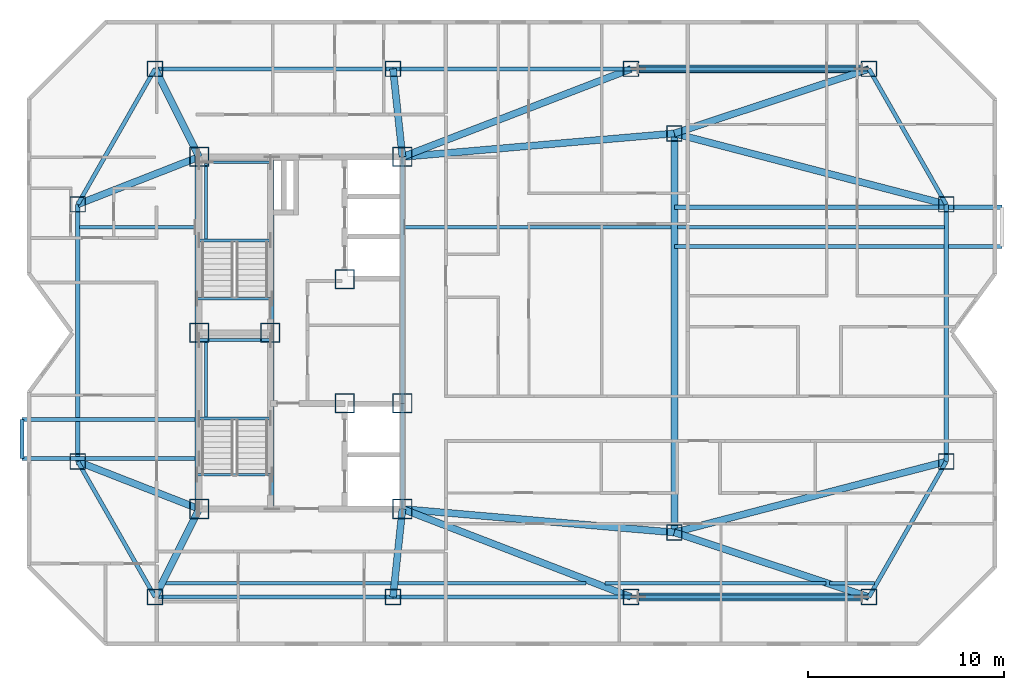
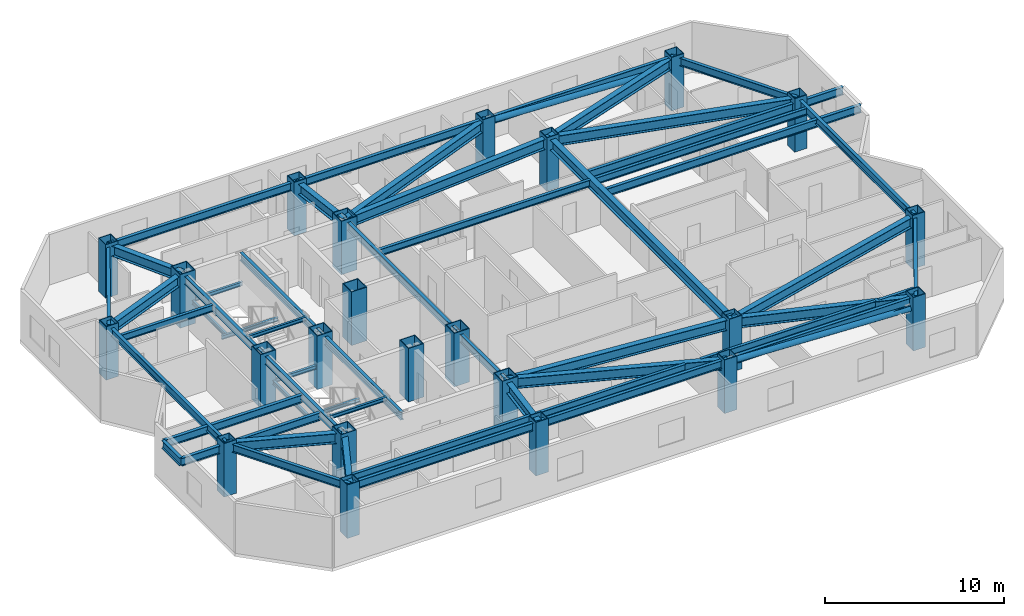
# One storey, part 1 of 10: 53 beams, 23 columns, 2 members.
"""IFC4 building model written with IfcOpenShell, lengths in metres."""

from ifc_helpers import new_model, si_unit, direction, frame, origin, origin_2d, place, context, subcontext, project, spatial, hollow_rectangle, hollow_circle, i_section, extrude, material, material_profile, profile_set, type_object, element, save


model = new_model("IFC4")

# Units and contexts
model_context = context("Model", 3, precision=1e-05, world=origin(), true_north=direction((0.0, 1.0)))
body_context = subcontext(model_context, "Body", "Model", "MODEL_VIEW")
ifc_project = project(units=[si_unit("LENGTHUNIT", "METRE"), si_unit("AREAUNIT", "SQUARE_METRE"), si_unit("VOLUMEUNIT", "CUBIC_METRE"), si_unit("PLANEANGLEUNIT", "RADIAN"), si_unit("MASSUNIT", "GRAM", prefix="KILO")], contexts=[model_context])

# Site, building, storey
site_placement = place(None, origin())
site = spatial("IfcSite", under=ifc_project, at=site_placement, CompositionType="ELEMENT")
building_placement = place(site_placement, origin())
building = spatial("IfcBuilding", under=site, at=building_placement, Name="Khamvora Tower", CompositionType="ELEMENT")
storey_placement = place(building_placement, frame((0.0, 0.0, 246.39990234375)))
storey = spatial("IfcBuildingStorey", under=building, at=storey_placement, Name="L63", CompositionType="ELEMENT", Elevation=246.39990234375)

# Columns
ifc_material_1 = material(Name="Steel S355", Category="steel")
ifc_material_profile_1 = material_profile(ifc_material_1, hollow_rectangle(XDim=0.800048828125, YDim=0.800048828125, WallThickness=0.0400390625, at=origin_2d()), Name="BOX800x800x40")
ifc_profile_set_1 = profile_set([ifc_material_profile_1], Name="Steel S355")
column_type_1 = type_object("IfcColumnType", Name="COL-BOX800", PredefinedType="COLUMN", material=ifc_profile_set_1)
for number, where, z_axis, x_axis, name in (
    (1, (26.75, 14.5, 0.0), (0.0, 0.0, 1.0), (1.0, 0.0, 0.0), "L63 structural frame column S1"),
    (2, (38.9169921875, 14.5, 0.0), (0.0, 0.0, 1.0), (1.0, 0.0, 0.0), "L63 structural frame column S2"),
    (3, (51.0830078125, 14.5, 0.0), (0.0, 0.0, 1.0), (1.0, 0.0, 0.0), "L63 structural frame column S3"),
    (4, (63.25, 14.5, 0.0), (0.0, 0.0, 1.0), (1.0, 0.0, 0.0), "L63 structural frame column S4"),
    (5, (26.75, 41.5, 0.0), (0.0, 0.0, 1.0), (1.0, 0.0, 0.0), "L63 structural frame column N1"),
    (6, (38.9169921875, 41.5, 0.0), (0.0, 0.0, 1.0), (1.0, 0.0, 0.0), "L63 structural frame column N2"),
    (7, (51.0830078125, 41.5, 0.0), (0.0, 0.0, 1.0), (1.0, 0.0, 0.0), "L63 structural frame column N3"),
    (8, (63.25, 41.5, 0.0), (0.0, 0.0, 1.0), (1.0, 0.0, 0.0), "L63 structural frame column N4"),
    (9, (22.800048828125, 21.425048828125, 0.0), (0.0, 0.0, 1.0), (1.0, 0.0, 0.0), "L63 structural frame column W1"),
    (10, (22.800048828125, 34.574951171875, 0.0), (0.0, 0.0, 1.0), (1.0, 0.0, 0.0), "L63 structural frame column W2"),
    (11, (67.199951171875, 21.425048828125, 0.0), (0.0, 0.0, 1.0), (1.0, 0.0, 0.0), "L63 structural frame column E1"),
    (12, (67.199951171875, 34.574951171875, 0.0), (0.0, 0.0, 1.0), (1.0, 0.0, 0.0), "L63 structural frame column E2"),
    (13, (53.300048828125, 17.800048828125, 0.0), (0.0, 0.0, 1.0), (1.0, 0.0, 0.0), "L63 structural frame column M1"),
    (14, (53.300048828125, 38.199951171875, 0.0), (0.0, 0.0, 1.0), (1.0, 0.0, 0.0), "L63 structural frame column M2"),
):
    element("IfcColumn", number, at=place(storey_placement, frame(where, z_axis=z_axis, x_axis=x_axis)), inside=storey, type_object=column_type_1, Name=name, PredefinedType="COLUMN", context=body_context, shape_type="SweptSolid", body=[
        extrude(hollow_rectangle(XDim=0.800048828125, YDim=0.800048828125, WallThickness=0.0400390625, at=origin_2d()), origin(), (0.0, 0.0, 1.0), 3.650146484375),
    ])
ifc_material_2 = material(Name="Structural Steel S460ML", Category="steel")
ifc_material_profile_2 = material_profile(ifc_material_2, hollow_rectangle(XDim=1.0, YDim=1.0, WallThickness=0.050048828125, at=origin_2d()), Name="BOX1000x1000x50")
ifc_profile_set_2 = profile_set([ifc_material_profile_2], Name="Structural Steel S460ML")
column_type_2 = type_object("IfcColumnType", Name="COL-SC-BOX1000", PredefinedType="COLUMN", material=ifc_profile_set_2)
for number, where, z_axis, x_axis, name in (
    (15, (29.0, 19.0, 0.0), (0.0, 0.0, 1.0), (1.0, 0.0, 0.0), "L63 plumb core spine column SC1"),
    (16, (32.64990234375, 28.0, 0.0), (0.0, 0.0, 1.0), (1.0, 0.0, 0.0), "L63 plumb core spine column SC2"),
    (17, (39.39990234375, 19.0, 0.0), (0.0, 0.0, 1.0), (1.0, 0.0, 0.0), "L63 plumb core spine column SC3"),
    (18, (29.0, 28.0, 0.0), (0.0, 0.0, 1.0), (1.0, 0.0, 0.0), "L63 plumb core spine column SC4"),
    (19, (36.449951171875, 24.39990234375, 0.0), (0.0, 0.0, 1.0), (1.0, 0.0, 0.0), "L63 plumb core spine column SC5"),
    (20, (39.39990234375, 24.39990234375, 0.0), (0.0, 0.0, 1.0), (1.0, 0.0, 0.0), "L63 plumb core spine column SC6"),
    (21, (29.0, 37.0, 0.0), (0.0, 0.0, 1.0), (1.0, 0.0, 0.0), "L63 plumb core spine column SC7"),
    (22, (36.449951171875, 30.75, 0.0), (0.0, 0.0, 1.0), (1.0, 0.0, 0.0), "L63 plumb core spine column SC8"),
    (23, (39.39990234375, 37.0, 0.0), (0.0, 0.0, 1.0), (1.0, 0.0, 0.0), "L63 plumb core spine column SC9"),
):
    element("IfcColumn", number, at=place(storey_placement, frame(where, z_axis=z_axis, x_axis=x_axis)), inside=storey, type_object=column_type_2, Name=name, PredefinedType="COLUMN", context=body_context, shape_type="SweptSolid", body=[
        extrude(hollow_rectangle(XDim=1.0, YDim=1.0, WallThickness=0.050048828125, at=origin_2d()), origin(), (0.0, 0.0, 1.0), 3.650146484375),
    ])

# Beams
ifc_material_profile_3 = material_profile(ifc_material_1, i_section(OverallWidth=0.19189453125, OverallDepth=0.462890625, WebThickness=0.010986328125, FlangeThickness=0.01806640625, FilletRadius=0.011962890625, at=origin_2d()), Name="W460x89")
ifc_profile_set_3 = profile_set([ifc_material_profile_3], Name="Steel S355")
beam_type_1 = type_object("IfcBeamType", Name="BM-JS-W460x89", PredefinedType="JOIST", material=ifc_profile_set_3)
beam_1_placement = place(storey_placement, frame((27.29296875, 15.199951171875, 3.19921875), z_axis=(1.0, 0.0, 0.0), x_axis=(0.0, 1.0, 0.0)))
element("IfcBeam", 24, at=beam_1_placement, inside=storey, type_object=beam_type_1, Name="L63 secondary floor joist 01", PredefinedType="JOIST", context=body_context, shape_type="SweptSolid", body=[
    extrude(i_section(OverallWidth=0.19189453125, OverallDepth=0.462890625, WebThickness=0.010986328125, FlangeThickness=0.01806640625, FilletRadius=0.011962890625, at=origin_2d()), origin(), (0.0, 0.0, 1.0), 11.526123046875),
])
beam_2_placement = place(storey_placement, frame((39.166015625, 15.199951171875, 3.19921875), z_axis=(1.0, 0.0, 0.0), x_axis=(0.0, 1.0, 0.0)))
element("IfcBeam", 25, at=beam_2_placement, inside=storey, type_object=beam_type_1, Name="L63 secondary floor joist 02", PredefinedType="JOIST", context=body_context, shape_type="SweptSolid", body=[
    extrude(i_section(OverallWidth=0.19189453125, OverallDepth=0.462890625, WebThickness=0.010986328125, FlangeThickness=0.01806640625, FilletRadius=0.011962890625, at=origin_2d()), origin(), (0.0, 0.0, 1.0), 9.611083984375),
])
beam_3_placement = place(storey_placement, frame((49.75390625, 15.199951171875, 3.19921875), z_axis=(1.0, 0.0, 0.0), x_axis=(0.0, 1.0, 0.0)))
element("IfcBeam", 26, at=beam_3_placement, inside=storey, type_object=beam_type_1, Name="L63 secondary floor joist 03", PredefinedType="JOIST", context=body_context, shape_type="SweptSolid", body=[
    extrude(i_section(OverallWidth=0.19189453125, OverallDepth=0.462890625, WebThickness=0.010986328125, FlangeThickness=0.01806640625, FilletRadius=0.011962890625, at=origin_2d()), origin(), (0.0, 0.0, 1.0), 11.2900390625),
])
beam_4_placement = place(storey_placement, frame((61.23388671875, 15.199951171875, 3.19921875), z_axis=(1.0, 0.0, 0.0), x_axis=(0.0, 1.0, 0.0)))
element("IfcBeam", 27, at=beam_4_placement, inside=storey, type_object=beam_type_1, Name="L63 secondary floor joist 04", PredefinedType="JOIST", context=body_context, shape_type="SweptSolid", body=[
    extrude(i_section(OverallWidth=0.19189453125, OverallDepth=0.462890625, WebThickness=0.010986328125, FlangeThickness=0.01806640625, FilletRadius=0.011962890625, at=origin_2d()), origin(), (0.0, 0.0, 1.0), 2.300048828125),
])
beam_5_placement = place(storey_placement, frame((22.89892578125, 33.39990234375, 3.19921875), z_axis=(1.0, 0.0, 0.0), x_axis=(0.0, 1.0, 0.0)))
element("IfcBeam", 28, at=beam_5_placement, inside=storey, type_object=beam_type_1, Name="L63 secondary floor joist 05", PredefinedType="JOIST", context=body_context, shape_type="SweptSolid", body=[
    extrude(i_section(OverallWidth=0.19189453125, OverallDepth=0.462890625, WebThickness=0.010986328125, FlangeThickness=0.01806640625, FilletRadius=0.011962890625, at=origin_2d()), origin(), (0.0, 0.0, 1.0), 5.901123046875),
])
beam_6_placement = place(storey_placement, frame((39.4990234375, 33.39990234375, 3.19921875), z_axis=(1.0, 0.0, 0.0), x_axis=(0.0, 1.0, 0.0)))
element("IfcBeam", 29, at=beam_6_placement, inside=storey, type_object=beam_type_1, Name="L63 secondary floor joist 06", PredefinedType="JOIST", context=body_context, shape_type="SweptSolid", body=[
    extrude(i_section(OverallWidth=0.19189453125, OverallDepth=0.462890625, WebThickness=0.010986328125, FlangeThickness=0.01806640625, FilletRadius=0.011962890625, at=origin_2d()), origin(), (0.0, 0.0, 1.0), 13.6279296875),
])
beam_7_placement = place(storey_placement, frame((53.471923828125, 33.39990234375, 3.19921875), z_axis=(1.0, 0.0, 0.0), x_axis=(0.0, 1.0, 0.0)))
element("IfcBeam", 30, at=beam_7_placement, inside=storey, type_object=beam_type_1, Name="L63 secondary floor joist 07", PredefinedType="JOIST", context=body_context, shape_type="SweptSolid", body=[
    extrude(i_section(OverallWidth=0.19189453125, OverallDepth=0.462890625, WebThickness=0.010986328125, FlangeThickness=0.01806640625, FilletRadius=0.011962890625, at=origin_2d()), origin(), (0.0, 0.0, 1.0), 13.628173828125),
])
ifc_material_profile_4 = material_profile(ifc_material_1, i_section(OverallWidth=0.14697265625, OverallDepth=0.261962890625, WebThickness=0.007080078125, FlangeThickness=0.010986328125, FilletRadius=0.008056640625, at=origin_2d()), Name="W250x39")
ifc_profile_set_4 = profile_set([ifc_material_profile_4], Name="Steel S355")
beam_type_2 = type_object("IfcBeamType", Name="BM-LN-W250x39", PredefinedType="LINTEL", material=ifc_profile_set_4)
for number, where, z_axis, x_axis, name in (
    (31, (29.0, 23.635009765625, 1.494140625), (1.0, 0.0, 0.0), (0.0, 1.0, 0.0), "L63 ST-01 half-landing support beam 1.1"),
    (32, (29.0, 27.6298828125, 1.494140625), (1.0, 0.0, 0.0), (0.0, 1.0, 0.0), "L63 ST-01 half-landing support beam 1.2"),
):
    element("IfcBeam", number, at=place(storey_placement, frame(where, z_axis=z_axis, x_axis=x_axis)), inside=storey, type_object=beam_type_2, Name=name, PredefinedType="LINTEL", context=body_context, shape_type="SweptSolid", body=[
        extrude(i_section(OverallWidth=0.14697265625, OverallDepth=0.261962890625, WebThickness=0.007080078125, FlangeThickness=0.010986328125, FilletRadius=0.008056640625, at=origin_2d()), origin(), (0.0, 0.0, 1.0), 3.64990234375),
    ])
beam_8_placement = place(storey_placement, frame((29.35009765625, 23.635009765625, 1.494140625), z_axis=(0.0, 1.0, 0.0), x_axis=(-1.0, 0.0, 0.0)))
element("IfcBeam", 33, at=beam_8_placement, inside=storey, type_object=beam_type_2, Name="L63 ST-01 half-landing edge stringer 1", PredefinedType="LINTEL", context=body_context, shape_type="SweptSolid", body=[
    extrude(i_section(OverallWidth=0.14697265625, OverallDepth=0.261962890625, WebThickness=0.007080078125, FlangeThickness=0.010986328125, FilletRadius=0.008056640625, at=origin_2d()), origin(), (0.0, 0.0, 1.0), 3.994873046875),
])
for number, where, z_axis, x_axis, name in (
    (34, (29.0, 32.735107421875, 1.494140625), (1.0, 0.0, 0.0), (0.0, 1.0, 0.0), "L63 ST-02 half-landing support beam 1.1"),
    (35, (29.0, 36.72998046875, 1.494140625), (1.0, 0.0, 0.0), (0.0, 1.0, 0.0), "L63 ST-02 half-landing support beam 1.2"),
):
    element("IfcBeam", number, at=place(storey_placement, frame(where, z_axis=z_axis, x_axis=x_axis)), inside=storey, type_object=beam_type_2, Name=name, PredefinedType="LINTEL", context=body_context, shape_type="SweptSolid", body=[
        extrude(i_section(OverallWidth=0.14697265625, OverallDepth=0.261962890625, WebThickness=0.007080078125, FlangeThickness=0.010986328125, FilletRadius=0.008056640625, at=origin_2d()), origin(), (0.0, 0.0, 1.0), 3.64990234375),
    ])
beam_9_placement = place(storey_placement, frame((29.35009765625, 32.735107421875, 1.494140625), z_axis=(0.0, 1.0, 0.0), x_axis=(-1.0, 0.0, 0.0)))
element("IfcBeam", 36, at=beam_9_placement, inside=storey, type_object=beam_type_2, Name="L63 ST-02 half-landing edge stringer 1", PredefinedType="LINTEL", context=body_context, shape_type="SweptSolid", body=[
    extrude(i_section(OverallWidth=0.14697265625, OverallDepth=0.261962890625, WebThickness=0.007080078125, FlangeThickness=0.010986328125, FilletRadius=0.008056640625, at=origin_2d()), origin(), (0.0, 0.0, 1.0), 3.994873046875),
])
for number, where, z_axis, x_axis, name in (
    (37, (28.89990234375, 20.75, 3.30419921875), (1.0, 0.0, 0.0), (0.0, 1.0, 0.0), "L63 exit stair ST-01 landing trimmer beam"),
    (38, (28.89990234375, 29.75, 3.30419921875), (1.0, 0.0, 0.0), (0.0, 1.0, 0.0), "L63 exit stair ST-02 landing trimmer beam"),
):
    element("IfcBeam", number, at=place(storey_placement, frame(where, z_axis=z_axis, x_axis=x_axis)), inside=storey, type_object=beam_type_2, Name=name, PredefinedType="LINTEL", context=body_context, shape_type="SweptSolid", body=[
        extrude(i_section(OverallWidth=0.14697265625, OverallDepth=0.261962890625, WebThickness=0.007080078125, FlangeThickness=0.010986328125, FilletRadius=0.008056640625, at=origin_2d()), origin(), (0.0, 0.0, 1.0), 3.830078125),
    ])
ifc_material_profile_5 = material_profile(ifc_material_1, i_section(OverallWidth=0.35498046875, OverallDepth=0.695068359375, WebThickness=0.014892578125, FlangeThickness=0.02490234375, FilletRadius=0.01611328125, at=origin_2d()), Name="W690x217")
ifc_profile_set_5 = profile_set([ifc_material_profile_5], Name="Steel S355")
beam_type_3 = type_object("IfcBeamType", Name="BM-PG-W690x217", PredefinedType="BEAM", material=ifc_profile_set_5)
beam_10_placement = place(storey_placement, frame((53.300048828125, 17.800048828125, 3.0830078125), z_axis=(0.0, 1.0, 0.0), x_axis=(-1.0, 0.0, 0.0)))
element("IfcBeam", 39, at=beam_10_placement, inside=storey, type_object=beam_type_3, Name="L63 longitudinal frame girder M1-M2", PredefinedType="BEAM", context=body_context, shape_type="SweptSolid", body=[
    extrude(i_section(OverallWidth=0.35498046875, OverallDepth=0.695068359375, WebThickness=0.014892578125, FlangeThickness=0.02490234375, FilletRadius=0.01611328125, at=origin_2d()), origin(), (0.0, 0.0, 1.0), 20.39990234375),
])
beam_11_placement = place(storey_placement, frame((29.0, 19.0, 3.0830078125), z_axis=(-0.4472135955, -0.894427191, 0.0), x_axis=(0.894427191, -0.4472135955, 0.0)))
element("IfcBeam", 40, at=beam_11_placement, inside=storey, type_object=beam_type_3, Name="L63 primary floor girder S1", PredefinedType="BEAM", context=body_context, shape_type="SweptSolid", body=[
    extrude(i_section(OverallWidth=0.35498046875, OverallDepth=0.695068359375, WebThickness=0.014892578125, FlangeThickness=0.02490234375, FilletRadius=0.01611328125, at=origin_2d()), origin(), (0.0, 0.0, 1.0), 5.03125),
])
beam_12_placement = place(storey_placement, frame((39.39990234375, 19.0, 3.0830078125), z_axis=(-0.106700735484, -0.994291181218, 0.0), x_axis=(0.994291181218, -0.106700735484, 0.0)))
element("IfcBeam", 41, at=beam_12_placement, inside=storey, type_object=beam_type_3, Name="L63 primary floor girder S2", PredefinedType="BEAM", context=body_context, shape_type="SweptSolid", body=[
    extrude(i_section(OverallWidth=0.35498046875, OverallDepth=0.695068359375, WebThickness=0.014892578125, FlangeThickness=0.02490234375, FilletRadius=0.01611328125, at=origin_2d()), origin(), (0.0, 0.0, 1.0), 4.52587890625),
])
beam_13_placement = place(storey_placement, frame((39.39990234375, 19.0, 3.0830078125), z_axis=(0.933171601475, -0.359431164759, 0.0), x_axis=(0.359431164759, 0.933171601475, 0.0)))
element("IfcBeam", 42, at=beam_13_placement, inside=storey, type_object=beam_type_3, Name="L63 primary floor girder S3", PredefinedType="BEAM", context=body_context, shape_type="SweptSolid", body=[
    extrude(i_section(OverallWidth=0.35498046875, OverallDepth=0.695068359375, WebThickness=0.014892578125, FlangeThickness=0.02490234375, FilletRadius=0.01611328125, at=origin_2d()), origin(), (0.0, 0.0, 1.0), 12.519775390625),
])
beam_14_placement = place(storey_placement, frame((53.300048828125, 17.800048828125, 3.0830078125), z_axis=(0.949157330029, -0.314802101092, 0.0), x_axis=(0.314802101092, 0.949157330029, 0.0)))
element("IfcBeam", 43, at=beam_14_placement, inside=storey, type_object=beam_type_3, Name="L63 primary floor girder S4", PredefinedType="BEAM", context=body_context, shape_type="SweptSolid", body=[
    extrude(i_section(OverallWidth=0.35498046875, OverallDepth=0.695068359375, WebThickness=0.014892578125, FlangeThickness=0.02490234375, FilletRadius=0.01611328125, at=origin_2d()), origin(), (0.0, 0.0, 1.0), 10.48291015625),
])
beam_15_placement = place(storey_placement, frame((29.0, 37.0, 3.0830078125), z_axis=(-0.4472135955, 0.894427191, 0.0), x_axis=(-0.894427191, -0.4472135955, 0.0)))
element("IfcBeam", 44, at=beam_15_placement, inside=storey, type_object=beam_type_3, Name="L63 primary floor girder N1", PredefinedType="BEAM", context=body_context, shape_type="SweptSolid", body=[
    extrude(i_section(OverallWidth=0.35498046875, OverallDepth=0.695068359375, WebThickness=0.014892578125, FlangeThickness=0.02490234375, FilletRadius=0.01611328125, at=origin_2d()), origin(), (0.0, 0.0, 1.0), 5.03125),
])
beam_16_placement = place(storey_placement, frame((39.39990234375, 37.0, 3.0830078125), z_axis=(-0.106700735484, 0.994291181218, 0.0), x_axis=(-0.994291181218, -0.106700735484, 0.0)))
element("IfcBeam", 45, at=beam_16_placement, inside=storey, type_object=beam_type_3, Name="L63 primary floor girder N2", PredefinedType="BEAM", context=body_context, shape_type="SweptSolid", body=[
    extrude(i_section(OverallWidth=0.35498046875, OverallDepth=0.695068359375, WebThickness=0.014892578125, FlangeThickness=0.02490234375, FilletRadius=0.01611328125, at=origin_2d()), origin(), (0.0, 0.0, 1.0), 4.52587890625),
])
beam_17_placement = place(storey_placement, frame((39.39990234375, 37.0, 3.0830078125), z_axis=(0.933171601475, 0.359431164759, 0.0), x_axis=(-0.359431164759, 0.933171601475, 0.0)))
element("IfcBeam", 46, at=beam_17_placement, inside=storey, type_object=beam_type_3, Name="L63 primary floor girder N3", PredefinedType="BEAM", context=body_context, shape_type="SweptSolid", body=[
    extrude(i_section(OverallWidth=0.35498046875, OverallDepth=0.695068359375, WebThickness=0.014892578125, FlangeThickness=0.02490234375, FilletRadius=0.01611328125, at=origin_2d()), origin(), (0.0, 0.0, 1.0), 12.519775390625),
])
beam_18_placement = place(storey_placement, frame((53.300048828125, 38.199951171875, 3.0830078125), z_axis=(0.949157330029, 0.314802101092, 0.0), x_axis=(-0.314802101092, 0.949157330029, 0.0)))
element("IfcBeam", 47, at=beam_18_placement, inside=storey, type_object=beam_type_3, Name="L63 primary floor girder N4", PredefinedType="BEAM", context=body_context, shape_type="SweptSolid", body=[
    extrude(i_section(OverallWidth=0.35498046875, OverallDepth=0.695068359375, WebThickness=0.014892578125, FlangeThickness=0.02490234375, FilletRadius=0.01611328125, at=origin_2d()), origin(), (0.0, 0.0, 1.0), 10.48291015625),
])
for number, where, z_axis, x_axis, name in (
    (48, (29.0, 19.0, 3.0830078125), (-0.931294712743, 0.36426660294, 0.0), (-0.36426660294, -0.931294712743, 0.0), "L63 primary floor girder W1"),
    (49, (29.0, 37.0, 3.0830078125), (-0.931294712743, -0.36426660294, 0.0), (0.36426660294, -0.931294712743, 0.0), "L63 primary floor girder W2"),
):
    element("IfcBeam", number, at=place(storey_placement, frame(where, z_axis=z_axis, x_axis=x_axis)), inside=storey, type_object=beam_type_3, Name=name, PredefinedType="BEAM", context=body_context, shape_type="SweptSolid", body=[
        extrude(i_section(OverallWidth=0.35498046875, OverallDepth=0.695068359375, WebThickness=0.014892578125, FlangeThickness=0.02490234375, FilletRadius=0.01611328125, at=origin_2d()), origin(), (0.0, 0.0, 1.0), 6.6572265625),
    ])
for number, where, z_axis, x_axis, name in (
    (50, (53.300048828125, 17.800048828125, 3.0830078125), (0.967635318494, 0.252352710314, 0.0), (-0.252352710314, 0.967635318494, 0.0), "L63 primary floor girder E1"),
    (51, (53.300048828125, 38.199951171875, 3.0830078125), (0.967635318494, -0.252352710314, 0.0), (0.252352710314, 0.967635318494, 0.0), "L63 primary floor girder E2"),
):
    element("IfcBeam", number, at=place(storey_placement, frame(where, z_axis=z_axis, x_axis=x_axis)), inside=storey, type_object=beam_type_3, Name=name, PredefinedType="BEAM", context=body_context, shape_type="SweptSolid", body=[
        extrude(i_section(OverallWidth=0.35498046875, OverallDepth=0.695068359375, WebThickness=0.014892578125, FlangeThickness=0.02490234375, FilletRadius=0.01611328125, at=origin_2d()), origin(), (0.0, 0.0, 1.0), 14.36474609375),
    ])
for number, where, z_axis, x_axis, name in (
    (52, (39.39990234375, 19.0, 3.0830078125), (0.996294564212, -0.08600663534, 0.0), (0.08600663534, 0.996294564212, 0.0), "L63 primary floor girder M1"),
    (53, (39.39990234375, 37.0, 3.0830078125), (0.996294564212, 0.08600663534, 0.0), (-0.08600663534, 0.996294564212, 0.0), "L63 primary floor girder M2"),
):
    element("IfcBeam", number, at=place(storey_placement, frame(where, z_axis=z_axis, x_axis=x_axis)), inside=storey, type_object=beam_type_3, Name=name, PredefinedType="BEAM", context=body_context, shape_type="SweptSolid", body=[
        extrude(i_section(OverallWidth=0.35498046875, OverallDepth=0.695068359375, WebThickness=0.014892578125, FlangeThickness=0.02490234375, FilletRadius=0.01611328125, at=origin_2d()), origin(), (0.0, 0.0, 1.0), 13.951904296875),
    ])
ifc_material_profile_6 = material_profile(ifc_material_1, i_section(OverallWidth=0.208984375, OverallDepth=0.532958984375, WebThickness=0.010009765625, FlangeThickness=0.01611328125, FilletRadius=0.013916015625, at=origin_2d()), Name="W530x92")
ifc_profile_set_6 = profile_set([ifc_material_profile_6], Name="Steel S355")
beam_type_4 = type_object("IfcBeamType", Name="BM-SP-W530x92", PredefinedType="SPANDREL", material=ifc_profile_set_6)
beam_19_placement = place(storey_placement, frame((22.800048828125, 21.425048828125, 3.1640625), z_axis=(0.495456118564, -0.868632968853, 0.0), x_axis=(0.868632968853, 0.495456118564, 0.0)))
element("IfcBeam", 54, at=beam_19_placement, inside=storey, type_object=beam_type_4, Name="L63 perimeter spandrel beam W1-S1", PredefinedType="SPANDREL", context=body_context, shape_type="SweptSolid", body=[
    extrude(i_section(OverallWidth=0.208984375, OverallDepth=0.532958984375, WebThickness=0.010009765625, FlangeThickness=0.01611328125, FilletRadius=0.013916015625, at=origin_2d()), origin(), (0.0, 0.0, 1.0), 7.972412109375),
])
beam_20_placement = place(storey_placement, frame((26.75, 14.5, 3.1640625), z_axis=(1.0, 0.0, 0.0), x_axis=(0.0, 1.0, 0.0)))
element("IfcBeam", 55, at=beam_20_placement, inside=storey, type_object=beam_type_4, Name="L63 perimeter spandrel beam S1-S2", PredefinedType="SPANDREL", context=body_context, shape_type="SweptSolid", body=[
    extrude(i_section(OverallWidth=0.208984375, OverallDepth=0.532958984375, WebThickness=0.010009765625, FlangeThickness=0.01611328125, FilletRadius=0.013916015625, at=origin_2d()), origin(), (0.0, 0.0, 1.0), 12.1669921875),
])
beam_21_placement = place(storey_placement, frame((38.9169921875, 14.5, 3.1640625), z_axis=(1.0, 0.0, 0.0), x_axis=(0.0, 1.0, 0.0)))
element("IfcBeam", 56, at=beam_21_placement, inside=storey, type_object=beam_type_4, Name="L63 perimeter spandrel beam S2-S3", PredefinedType="SPANDREL", context=body_context, shape_type="SweptSolid", body=[
    extrude(i_section(OverallWidth=0.208984375, OverallDepth=0.532958984375, WebThickness=0.010009765625, FlangeThickness=0.01611328125, FilletRadius=0.013916015625, at=origin_2d()), origin(), (0.0, 0.0, 1.0), 12.166015625),
])
beam_22_placement = place(storey_placement, frame((51.0830078125, 14.5, 3.1640625), z_axis=(1.0, 0.0, 0.0), x_axis=(0.0, 1.0, 0.0)))
element("IfcBeam", 57, at=beam_22_placement, inside=storey, type_object=beam_type_4, Name="L63 perimeter spandrel beam S3-S4", PredefinedType="SPANDREL", context=body_context, shape_type="SweptSolid", body=[
    extrude(i_section(OverallWidth=0.208984375, OverallDepth=0.532958984375, WebThickness=0.010009765625, FlangeThickness=0.01611328125, FilletRadius=0.013916015625, at=origin_2d()), origin(), (0.0, 0.0, 1.0), 12.1669921875),
])
beam_23_placement = place(storey_placement, frame((63.25, 14.5, 3.1640625), z_axis=(0.495456118564, 0.868632968853, 0.0), x_axis=(-0.868632968853, 0.495456118564, 0.0)))
element("IfcBeam", 58, at=beam_23_placement, inside=storey, type_object=beam_type_4, Name="L63 perimeter spandrel beam S4-E1", PredefinedType="SPANDREL", context=body_context, shape_type="SweptSolid", body=[
    extrude(i_section(OverallWidth=0.208984375, OverallDepth=0.532958984375, WebThickness=0.010009765625, FlangeThickness=0.01611328125, FilletRadius=0.013916015625, at=origin_2d()), origin(), (0.0, 0.0, 1.0), 7.972412109375),
])
beam_24_placement = place(storey_placement, frame((67.199951171875, 21.425048828125, 3.1640625), z_axis=(0.0, 1.0, 0.0), x_axis=(-1.0, 0.0, 0.0)))
element("IfcBeam", 59, at=beam_24_placement, inside=storey, type_object=beam_type_4, Name="L63 perimeter spandrel beam E1-E2", PredefinedType="SPANDREL", context=body_context, shape_type="SweptSolid", body=[
    extrude(i_section(OverallWidth=0.208984375, OverallDepth=0.532958984375, WebThickness=0.010009765625, FlangeThickness=0.01611328125, FilletRadius=0.013916015625, at=origin_2d()), origin(), (0.0, 0.0, 1.0), 13.14990234375),
])
beam_25_placement = place(storey_placement, frame((67.199951171875, 34.574951171875, 3.1640625), z_axis=(-0.495456118564, 0.868632968853, 0.0), x_axis=(-0.868632968853, -0.495456118564, 0.0)))
element("IfcBeam", 60, at=beam_25_placement, inside=storey, type_object=beam_type_4, Name="L63 perimeter spandrel beam E2-N4", PredefinedType="SPANDREL", context=body_context, shape_type="SweptSolid", body=[
    extrude(i_section(OverallWidth=0.208984375, OverallDepth=0.532958984375, WebThickness=0.010009765625, FlangeThickness=0.01611328125, FilletRadius=0.013916015625, at=origin_2d()), origin(), (0.0, 0.0, 1.0), 7.972412109375),
])
beam_26_placement = place(storey_placement, frame((63.25, 41.5, 3.1640625), z_axis=(-1.0, 0.0, 0.0), x_axis=(0.0, -1.0, 0.0)))
element("IfcBeam", 61, at=beam_26_placement, inside=storey, type_object=beam_type_4, Name="L63 perimeter spandrel beam N4-N3", PredefinedType="SPANDREL", context=body_context, shape_type="SweptSolid", body=[
    extrude(i_section(OverallWidth=0.208984375, OverallDepth=0.532958984375, WebThickness=0.010009765625, FlangeThickness=0.01611328125, FilletRadius=0.013916015625, at=origin_2d()), origin(), (0.0, 0.0, 1.0), 12.1669921875),
])
beam_27_placement = place(storey_placement, frame((51.0830078125, 41.5, 3.1640625), z_axis=(-1.0, 0.0, 0.0), x_axis=(0.0, -1.0, 0.0)))
element("IfcBeam", 62, at=beam_27_placement, inside=storey, type_object=beam_type_4, Name="L63 perimeter spandrel beam N3-N2", PredefinedType="SPANDREL", context=body_context, shape_type="SweptSolid", body=[
    extrude(i_section(OverallWidth=0.208984375, OverallDepth=0.532958984375, WebThickness=0.010009765625, FlangeThickness=0.01611328125, FilletRadius=0.013916015625, at=origin_2d()), origin(), (0.0, 0.0, 1.0), 12.166015625),
])
beam_28_placement = place(storey_placement, frame((38.9169921875, 41.5, 3.1640625), z_axis=(-1.0, 0.0, 0.0), x_axis=(0.0, -1.0, 0.0)))
element("IfcBeam", 63, at=beam_28_placement, inside=storey, type_object=beam_type_4, Name="L63 perimeter spandrel beam N2-N1", PredefinedType="SPANDREL", context=body_context, shape_type="SweptSolid", body=[
    extrude(i_section(OverallWidth=0.208984375, OverallDepth=0.532958984375, WebThickness=0.010009765625, FlangeThickness=0.01611328125, FilletRadius=0.013916015625, at=origin_2d()), origin(), (0.0, 0.0, 1.0), 12.1669921875),
])
beam_29_placement = place(storey_placement, frame((26.75, 41.5, 3.1640625), z_axis=(-0.495456118564, -0.868632968853, 0.0), x_axis=(0.868632968853, -0.495456118564, 0.0)))
element("IfcBeam", 64, at=beam_29_placement, inside=storey, type_object=beam_type_4, Name="L63 perimeter spandrel beam N1-W2", PredefinedType="SPANDREL", context=body_context, shape_type="SweptSolid", body=[
    extrude(i_section(OverallWidth=0.208984375, OverallDepth=0.532958984375, WebThickness=0.010009765625, FlangeThickness=0.01611328125, FilletRadius=0.013916015625, at=origin_2d()), origin(), (0.0, 0.0, 1.0), 7.972412109375),
])
beam_30_placement = place(storey_placement, frame((22.800048828125, 34.574951171875, 3.1640625), z_axis=(0.0, -1.0, 0.0), x_axis=(1.0, 0.0, 0.0)))
element("IfcBeam", 65, at=beam_30_placement, inside=storey, type_object=beam_type_4, Name="L63 perimeter spandrel beam W2-W1", PredefinedType="SPANDREL", context=body_context, shape_type="SweptSolid", body=[
    extrude(i_section(OverallWidth=0.208984375, OverallDepth=0.532958984375, WebThickness=0.010009765625, FlangeThickness=0.01611328125, FilletRadius=0.013916015625, at=origin_2d()), origin(), (0.0, 0.0, 1.0), 13.14990234375),
])
for number, where, z_axis, x_axis, name in (
    (66, (28.89990234375, 19.0, 3.1640625), (0.0, 1.0, 0.0), (-1.0, 0.0, 0.0), "L63 core spine girder WS"),
    (67, (28.89990234375, 28.0, 3.1640625), (0.0, 1.0, 0.0), (-1.0, 0.0, 0.0), "L63 core spine girder WN"),
    (68, (32.72998046875, 19.0, 3.1640625), (0.0, 1.0, 0.0), (-1.0, 0.0, 0.0), "L63 core spine girder M1S"),
    (69, (32.72998046875, 28.0, 3.1640625), (0.0, 1.0, 0.0), (-1.0, 0.0, 0.0), "L63 core spine girder M1N"),
):
    element("IfcBeam", number, at=place(storey_placement, frame(where, z_axis=z_axis, x_axis=x_axis)), inside=storey, type_object=beam_type_4, Name=name, PredefinedType="SPANDREL", context=body_context, shape_type="SweptSolid", body=[
        extrude(i_section(OverallWidth=0.208984375, OverallDepth=0.532958984375, WebThickness=0.010009765625, FlangeThickness=0.01611328125, FilletRadius=0.013916015625, at=origin_2d()), origin(), (0.0, 0.0, 1.0), 9.0),
    ])
beam_31_placement = place(storey_placement, frame((39.39990234375, 19.0, 3.1640625), z_axis=(0.0, 1.0, 0.0), x_axis=(-1.0, 0.0, 0.0)))
element("IfcBeam", 70, at=beam_31_placement, inside=storey, type_object=beam_type_4, Name="L63 core spine girder ES", PredefinedType="SPANDREL", context=body_context, shape_type="SweptSolid", body=[
    extrude(i_section(OverallWidth=0.208984375, OverallDepth=0.532958984375, WebThickness=0.010009765625, FlangeThickness=0.01611328125, FilletRadius=0.013916015625, at=origin_2d()), origin(), (0.0, 0.0, 1.0), 5.39990234375),
])
beam_32_placement = place(storey_placement, frame((39.39990234375, 24.39990234375, 3.1640625), z_axis=(0.0, 1.0, 0.0), x_axis=(-1.0, 0.0, 0.0)))
element("IfcBeam", 71, at=beam_32_placement, inside=storey, type_object=beam_type_4, Name="L63 core spine girder EN", PredefinedType="SPANDREL", context=body_context, shape_type="SweptSolid", body=[
    extrude(i_section(OverallWidth=0.208984375, OverallDepth=0.532958984375, WebThickness=0.010009765625, FlangeThickness=0.01611328125, FilletRadius=0.013916015625, at=origin_2d()), origin(), (0.0, 0.0, 1.0), 12.60009765625),
])
for number, where, z_axis, x_axis, name in (
    (72, (53.300048828125, 32.425048828125, 2.963134765625), (1.0, 0.0, 0.0), (0.0, 1.0, 0.0), "L63 continuous gallery cantilever girder L64-EL2-1"),
    (73, (53.300048828125, 34.425048828125, 2.963134765625), (1.0, 0.0, 0.0), (0.0, 1.0, 0.0), "L63 continuous gallery cantilever girder L64-EL2-2"),
):
    element("IfcBeam", number, at=place(storey_placement, frame(where, z_axis=z_axis, x_axis=x_axis)), inside=storey, type_object=beam_type_4, Name=name, PredefinedType="SPANDREL", context=body_context, shape_type="SweptSolid", body=[
        extrude(i_section(OverallWidth=0.208984375, OverallDepth=0.532958984375, WebThickness=0.010009765625, FlangeThickness=0.01611328125, FilletRadius=0.013916015625, at=origin_2d()), origin(), (0.0, 0.0, 1.0), 16.75),
    ])
for number, where, z_axis, x_axis, name in (
    (74, (29.0, 21.574951171875, 2.963134765625), (-1.0, 0.0, 0.0), (0.0, -1.0, 0.0), "L63 continuous gallery cantilever girder L64-WL1-1"),
    (75, (29.0, 23.574951171875, 2.963134765625), (-1.0, 0.0, 0.0), (0.0, -1.0, 0.0), "L63 continuous gallery cantilever girder L64-WL1-2"),
):
    element("IfcBeam", number, at=place(storey_placement, frame(where, z_axis=z_axis, x_axis=x_axis)), inside=storey, type_object=beam_type_4, Name=name, PredefinedType="SPANDREL", context=body_context, shape_type="SweptSolid", body=[
        extrude(i_section(OverallWidth=0.208984375, OverallDepth=0.532958984375, WebThickness=0.010009765625, FlangeThickness=0.01611328125, FilletRadius=0.013916015625, at=origin_2d()), origin(), (0.0, 0.0, 1.0), 9.050048828125),
    ])
beam_33_placement = place(storey_placement, frame((19.949951171875, 21.574951171875, 2.963134765625), z_axis=(0.0, 1.0, 0.0), x_axis=(-1.0, 0.0, 0.0)))
element("IfcBeam", 76, at=beam_33_placement, inside=storey, type_object=beam_type_4, Name="L63 external gallery edge header beam L64-WL1", PredefinedType="SPANDREL", context=body_context, shape_type="SweptSolid", body=[
    extrude(i_section(OverallWidth=0.208984375, OverallDepth=0.532958984375, WebThickness=0.010009765625, FlangeThickness=0.01611328125, FilletRadius=0.013916015625, at=origin_2d()), origin(), (0.0, 0.0, 1.0), 2.0),
])

# Members
ifc_material_profile_7 = material_profile(ifc_material_1, hollow_circle(Radius=0.202880859375, WallThickness=0.01611328125, at=origin_2d()), Name="CHS406x16")
ifc_profile_set_7 = profile_set([ifc_material_profile_7], Name="Steel S355")
member_type = type_object("IfcMemberType", Name="MEM-BR-CHS406", PredefinedType="BRACE", material=ifc_profile_set_7)
for number, where, z_axis, x_axis, name in (
    (77, (62.8701171875, 14.5, 2.695068359375), (-0.99920859267, 0.0, 0.039776731067), (0.0, -1.0, 0.0), "L63 perimeter wind brace 1"),
    (78, (62.8701171875, 41.5, 2.695068359375), (-0.99920859267, 0.0, 0.039776731067), (0.0, -1.0, 0.0), "L63 perimeter wind brace 2"),
):
    element("IfcMember", number, at=place(storey_placement, frame(where, z_axis=z_axis, x_axis=x_axis)), inside=storey, type_object=member_type, Name=name, PredefinedType="BRACE", context=body_context, shape_type="SweptSolid", body=[
        extrude(hollow_circle(Radius=0.202880859375, WallThickness=0.01611328125, at=origin_2d()), origin(), (0.0, 0.0, 1.0), 11.416259765625),
    ])

save(model, "model.ifc")
